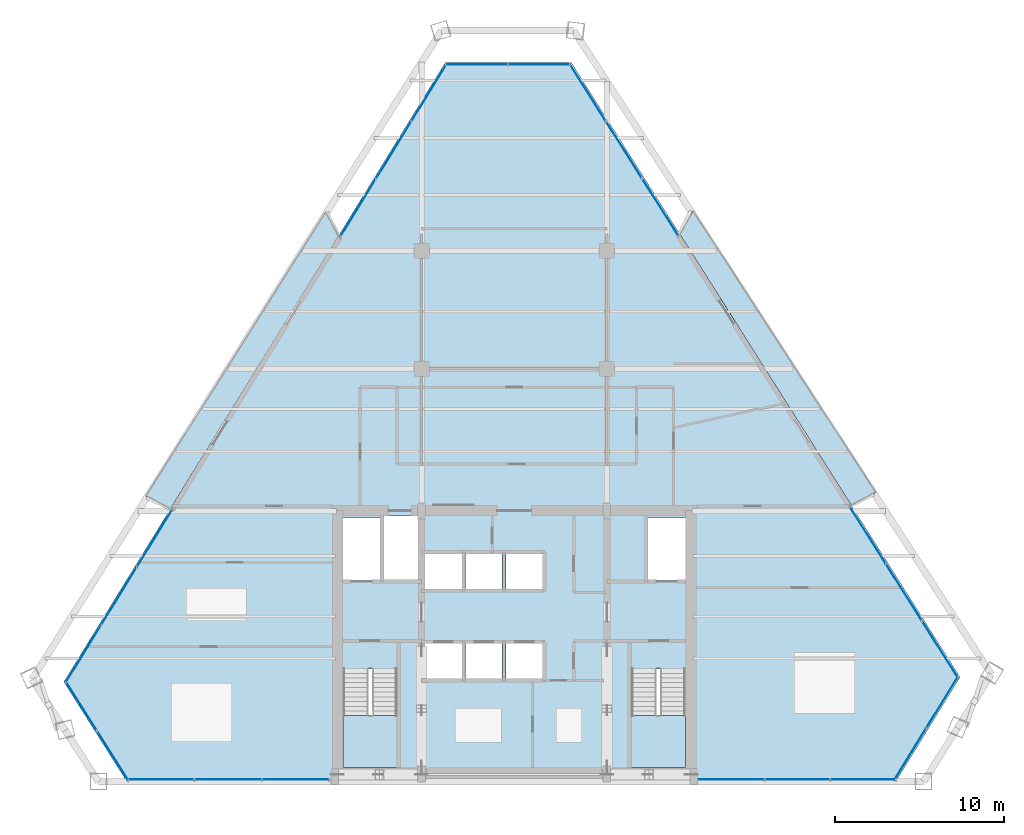
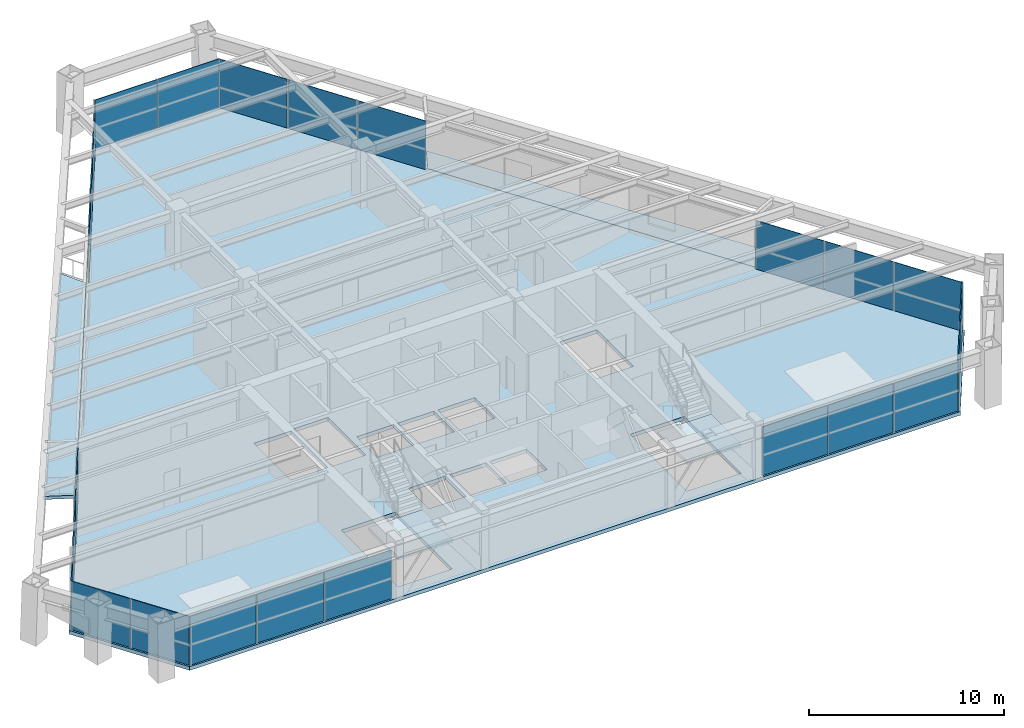
# One storey, part 10 of 15: 24 plates, 5 slabs, 11 elements without a shape of their own.
"""IFC4 building model written with IfcOpenShell, lengths in metres."""

import ifcopenshell
import ifcopenshell.guid

model = None  # the IFC model being written
_history = None  # IfcOwnerHistory: only IFC2X3 demands one
_inside = {}  # id of a spatial element -> (the spatial element, [elements in it])
_under = {}  # id of a project, library or spatial element -> (it, [spatial elements below it])
_declared = {}  # id of a project -> (the project, [libraries it declares])
_typed = {}  # id of a type object -> (the type object, [elements of that type])
_made_of = {}  # id of a material, layer set ... -> (it, [elements and type objects made of it])


def new_model(schema):
    """Start an empty IFC model of exactly this schema.

    Asked for "IFC4X3", IfcOpenShell would pick the latest addendum, in which some entities
    have other attributes; the version numbers below select the first issue.
    IFC2X3 requires an IfcOwnerHistory on every rooted entity: one is made here for all.
    """
    global model, _history
    if schema == "IFC4X3":
        model = ifcopenshell.file(schema_version=(4, 3, 0, 0))
    else:
        model = ifcopenshell.file(schema=schema)
    _inside.clear()
    _under.clear()
    _declared.clear()
    _typed.clear()
    _made_of.clear()
    _history = None
    if model.schema == "IFC2X3":
        org = make("IfcOrganization", Name="unknown")
        user = make(
            "IfcPersonAndOrganization",
            ThePerson=make("IfcPerson", FamilyName="unknown"),
            TheOrganization=org,
        )
        app = make(
            "IfcApplication",
            ApplicationDeveloper=org,
            Version="unknown",
            ApplicationFullName="unknown",
            ApplicationIdentifier="unknown",
        )
        _history = make(
            "IfcOwnerHistory",
            OwningUser=user,
            OwningApplication=app,
            ChangeAction="ADDED",
            CreationDate=0,
        )
    return model


def make(cls, **values):
    """One entity of the class cls with the attributes given. An attribute that is None is left unset."""
    return model.create_entity(
        cls, **{name: value for name, value in values.items() if value is not None}
    )


def rooted(cls, **values):
    """An entity with a GlobalId (a new one), such as an element, a storey or a relation."""
    return make(cls, GlobalId=ifcopenshell.guid.new(), OwnerHistory=_history, **values)


def si_unit(unit_type, name, prefix=None):
    """IfcSIUnit, for example si_unit("LENGTHUNIT", "METRE", prefix="MILLI")."""
    return make("IfcSIUnit", UnitType=unit_type, Prefix=prefix, Name=name)


def assignment(units):
    """IfcUnitAssignment: the units of a project."""
    return None if units is None else make("IfcUnitAssignment", Units=units)


def point(xyz):
    """IfcCartesianPoint."""
    return None if xyz is None else make("IfcCartesianPoint", Coordinates=xyz)


def direction(xyz):
    """IfcDirection."""
    return None if xyz is None else make("IfcDirection", DirectionRatios=xyz)


def frame(location, z_axis=None, x_axis=None):
    """IfcAxis2Placement3D, a coordinate frame: its origin and axes. An axis left out is left unset."""
    return make(
        "IfcAxis2Placement3D",
        Location=point(location),
        Axis=direction(z_axis),
        RefDirection=direction(x_axis),
    )


def frame_2d(location, x_axis=None):
    """IfcAxis2Placement2D, a coordinate frame in the plane: its origin and x axis."""
    return make(
        "IfcAxis2Placement2D", Location=point(location), RefDirection=direction(x_axis)
    )


def origin():
    """The frame at (0, 0, 0) with its axes left unset."""
    return frame((0.0, 0.0, 0.0))


def origin_2d():
    """The frame at (0, 0) in the plane with its x axis left unset."""
    return frame_2d((0.0, 0.0))


def place(relative_to, where):
    """IfcLocalPlacement: puts the frame where relative to a parent placement (None: the world)."""
    return make(
        "IfcLocalPlacement", PlacementRelTo=relative_to, RelativePlacement=where
    )


def context(
    kind, dimensions, precision=None, world=None, true_north=None, identifier=None
):
    """IfcGeometricRepresentationContext, for example the 3D "Model" context."""
    return make(
        "IfcGeometricRepresentationContext",
        ContextIdentifier=identifier,
        ContextType=kind,
        CoordinateSpaceDimension=dimensions,
        Precision=precision,
        WorldCoordinateSystem=world,
        TrueNorth=true_north,
    )


def subcontext(parent, identifier, kind, view, scale=None):
    """IfcGeometricRepresentationSubContext, for example "Body" below "Model"."""
    return make(
        "IfcGeometricRepresentationSubContext",
        ContextIdentifier=identifier,
        ContextType=kind,
        ParentContext=parent,
        TargetScale=scale,
        TargetView=view,
    )


def project(units=None, contexts=None):
    """IfcProject with its units and contexts."""
    return rooted(
        "IfcProject",
        Name="project",
        RepresentationContexts=contexts,
        UnitsInContext=assignment(units),
    )


def spatial(cls, under=None, at=None, **own):
    """A site, building, storey or space (cls), placed at a placement, below another one or the project."""
    s = rooted(cls, ObjectPlacement=at, **own)
    if under is not None:
        _under.setdefault(under.id(), (under, []))[1].append(s)
    return s


def polyline(points):
    """IfcPolyline through the points."""
    return make("IfcPolyline", Points=[point(p) for p in points])


def profile(cls, at=None, kind="AREA", **sizes):
    """A parametric profile (cls). Its sizes go by their IFC names, for example OverallWidth=200.0."""
    return make(cls, ProfileType=kind, Position=at, **sizes)


def rectangle(**sizes):
    """IfcRectangleProfileDef."""
    return profile("IfcRectangleProfileDef", **sizes)


def outline(outer, holes=None, kind="AREA"):
    """IfcArbitraryClosedProfileDef: a profile drawn as a closed curve; with holes, ...WithVoids."""
    if holes is None:
        return make("IfcArbitraryClosedProfileDef", ProfileType=kind, OuterCurve=outer)
    return make(
        "IfcArbitraryProfileDefWithVoids",
        ProfileType=kind,
        OuterCurve=outer,
        InnerCurves=holes,
    )


def extrude(swept, where, along, depth):
    """IfcExtrudedAreaSolid: the profile swept, set in the frame where, extruded along a direction by depth."""
    return make(
        "IfcExtrudedAreaSolid",
        SweptArea=swept,
        Position=where,
        ExtrudedDirection=direction(along),
        Depth=depth,
    )


def shape(context_of_items, identifier, shape_type, items):
    """IfcShapeRepresentation: the items that make up one representation, for example the "Body"."""
    return make(
        "IfcShapeRepresentation",
        ContextOfItems=context_of_items,
        RepresentationIdentifier=identifier,
        RepresentationType=shape_type,
        Items=items,
    )


def source(mapping_origin, context_of_items, identifier, shape_type, items):
    """IfcRepresentationMap: a shape defined once, which mapped items show again and again."""
    return make(
        "IfcRepresentationMap",
        MappingOrigin=mapping_origin,
        MappedRepresentation=shape(context_of_items, identifier, shape_type, items),
    )


def transform(
    local_origin,
    x_axis=None,
    y_axis=None,
    z_axis=None,
    scale=None,
    scale2=None,
    scale3=None,
    uniform=True,
):
    """IfcCartesianTransformationOperator3D, or its non-uniform kind. x_axis, y_axis, z_axis: its Axis1, 2, 3."""
    if uniform:
        return make(
            "IfcCartesianTransformationOperator3D",
            Axis1=direction(x_axis),
            Axis2=direction(y_axis),
            LocalOrigin=point(local_origin),
            Scale=scale,
            Axis3=direction(z_axis),
        )
    return make(
        "IfcCartesianTransformationOperator3DnonUniform",
        Axis1=direction(x_axis),
        Axis2=direction(y_axis),
        LocalOrigin=point(local_origin),
        Scale=scale,
        Axis3=direction(z_axis),
        Scale2=scale2,
        Scale3=scale3,
    )


def mapped(mapping_source, mapping_target):
    """IfcMappedItem: shows the shape of a source again, moved by a transform."""
    return make(
        "IfcMappedItem", MappingSource=mapping_source, MappingTarget=mapping_target
    )


def material(Name=None, Category=None):
    """IfcMaterial."""
    return make("IfcMaterial", Name=Name, Category=Category)


def layer(
    of_material, thickness, ventilated=None, Name=None, Category=None, Priority=None
):
    """IfcMaterialLayer: one layer of a wall or slab, of a material (None: an air gap)."""
    return make(
        "IfcMaterialLayer",
        Material=of_material,
        LayerThickness=thickness,
        IsVentilated=ventilated,
        Name=Name,
        Category=Category,
        Priority=Priority,
    )


def layer_set(layers, Name=None):
    """IfcMaterialLayerSet."""
    return make("IfcMaterialLayerSet", MaterialLayers=layers, LayerSetName=Name)


def made_of(thing, what):
    """Note that an element or type object is made of a material, layer set ...; save() writes the relation."""
    if what is not None:
        _made_of.setdefault(what.id(), (what, []))[1].append(thing)
    return thing


def type_object(cls, material=None, **own):
    """A type object (cls), such as IfcWallType, which elements share."""
    return made_of(rooted(cls, **own), material)


def element(
    cls,
    number,
    at=None,
    inside=None,
    cuts=None,
    type_object=None,
    material=None,
    context=None,
    identifier="Body",
    shape_type=None,
    held_by="IfcProductDefinitionShape",
    body=None,
    shapes=None,
    **own,
):
    """One element of the class cls, such as IfcWall. Its Tag is "e" and its number.

    at: its placement. inside: the storey or other place that contains it. cuts: it is an
    opening in that element (IfcRelVoidsElement). A single representation is given by context,
    identifier, shape_type and body (its items); several are given by shapes. held_by: the class
    of the entity that holds the representations. save() writes the other relations.
    """
    e = rooted(cls, Tag="e%d" % number, ObjectPlacement=at, **own)
    if body is not None:
        shapes = [shape(context, identifier, shape_type, body)]
    if shapes is not None:
        e.Representation = make(held_by, Representations=shapes)
    if inside is not None:
        _inside.setdefault(inside.id(), (inside, []))[1].append(e)
    if cuts is not None:
        rooted(
            "IfcRelVoidsElement", RelatingBuildingElement=cuts, RelatedOpeningElement=e
        )
    if type_object is not None:
        _typed.setdefault(type_object.id(), (type_object, []))[1].append(e)
    return made_of(e, material)


def aggregate(whole, parts):
    """IfcRelAggregates: a whole, such as a stair, and the parts it consists of."""
    return rooted("IfcRelAggregates", RelatingObject=whole, RelatedObjects=parts)


def save(model, path):
    """Write the relations noted so far, then the file.

    IfcRelAggregates (storeys below a building ...), IfcRelContainedInSpatialStructure (elements
    in a storey), IfcRelDefinesByType, IfcRelAssociatesMaterial and IfcRelDeclares: one each for
    every whole, place, type object, material and project.
    """
    for whole, parts in _under.values():
        aggregate(whole, parts)
    for where, things in _inside.values():
        rooted(
            "IfcRelContainedInSpatialStructure",
            RelatedElements=things,
            RelatingStructure=where,
        )
    for kind, things in _typed.values():
        rooted("IfcRelDefinesByType", RelatedObjects=things, RelatingType=kind)
    for what, things in _made_of.values():
        rooted("IfcRelAssociatesMaterial", RelatedObjects=things, RelatingMaterial=what)
    for by, libraries in _declared.values():
        rooted("IfcRelDeclares", RelatingContext=by, RelatedDefinitions=libraries)
    model.write(path)


model = new_model("IFC4")

# Units and contexts
model_context = context("Model", 3, precision=1e-05, world=origin(), true_north=direction((0.0, 1.0)))
body_context = subcontext(model_context, "Body", "Model", "MODEL_VIEW")
ifc_project = project(units=[si_unit("LENGTHUNIT", "METRE"), si_unit("AREAUNIT", "SQUARE_METRE"), si_unit("VOLUMEUNIT", "CUBIC_METRE"), si_unit("PLANEANGLEUNIT", "RADIAN"), si_unit("MASSUNIT", "GRAM", prefix="KILO")], contexts=[model_context])

# Site, building, storey
site_placement = place(None, origin())
site = spatial("IfcSite", under=ifc_project, at=site_placement, CompositionType="ELEMENT")
building_placement = place(site_placement, origin())
building = spatial("IfcBuilding", under=site, at=building_placement, Name="Varnakhor Terracotta Tower", CompositionType="ELEMENT")
storey_placement = place(building_placement, frame((0.0, 0.0, 193.199951171875)))
storey = spatial("IfcBuildingStorey", under=building, at=storey_placement, Name="L49", CompositionType="ELEMENT", Elevation=193.199951171875)

# Stair, slab
ifc_material_1 = material(Name="Concrete C40/50", Category="concrete")
stair_type = type_object("IfcStairType", Name="STR-CORE-OFFICE-1500", PredefinedType="HALF_TURN_STAIR", material=ifc_material_1)
stair_1_placement = place(storey_placement, origin())
stair_1 = element("IfcStair", 1, at=stair_1_placement, inside=storey, type_object=stair_type, Name="L49 Core Exit Stair ST-1", PredefinedType="HALF_TURN_STAIR")
ifc_layer_1 = layer(ifc_material_1, 0.179931640625, Name="Concrete C40/50")
ifc_layer_set_1 = layer_set([ifc_layer_1], Name="Concrete C40/50")
slab_type_1 = type_object("IfcSlabType", Name="SLB-LANDING-180", PredefinedType="LANDING", material=ifc_layer_set_1)
slab_1_placement = place(storey_placement, frame((0.0, 0.0, 1.650146484375)))
slab_1 = element("IfcSlab", 2, at=slab_1_placement, type_object=slab_type_1, Name="ST-1 landing 1", PredefinedType="LANDING", context=body_context, shape_type="SweptSolid", body=[
    extrude(outline(polyline([(-10.14990234375, 3.909912109375), (-10.14990234375, 0.85009765625), (-6.949951171875, 0.85009765625), (-6.949951171875, 3.909912109375), (-10.14990234375, 3.909912109375)])), origin(), (0.0, 0.0, 1.0), 0.199951171875),
])
aggregate(stair_1, [slab_1])

stair_2_placement = place(storey_placement, origin())
stair_2 = element("IfcStair", 3, at=stair_2_placement, inside=storey, type_object=stair_type, Name="L49 Core Exit Stair ST-2", PredefinedType="HALF_TURN_STAIR")
slab_2_placement = place(storey_placement, frame((0.0, 0.0, 1.650146484375)))
slab_2 = element("IfcSlab", 4, at=slab_2_placement, type_object=slab_type_1, Name="ST-2 landing 1", PredefinedType="LANDING", context=body_context, shape_type="SweptSolid", body=[
    extrude(outline(polyline([(6.949951171875, 3.909912109375), (6.949951171875, 0.85009765625), (10.14990234375, 0.85009765625), (10.14990234375, 3.909912109375), (6.949951171875, 3.909912109375)])), origin(), (0.0, 0.0, 1.0), 0.199951171875),
])
aggregate(stair_2, [slab_2])

# Slabs
ifc_layer_2 = layer(ifc_material_1, 0.195068359375, Name="Concrete C40/50")
ifc_layer_set_2 = layer_set([ifc_layer_2], Name="Concrete C40/50")
slab_type_2 = type_object("IfcSlabType", Name="SLB-LOGGIA-EXT-195", PredefinedType="FLOOR", material=ifc_layer_set_2)
slab_3_placement = place(storey_placement, frame((0.0, 0.0, -0.195068359375)))
element("IfcSlab", 5, at=slab_3_placement, inside=storey, type_object=slab_type_2, Name="L49 E Recessed Outdoor Loggia Slab", PredefinedType="FLOOR", context=body_context, shape_type="SweptSolid", body=[
    extrude(outline(polyline([(10.57666015625, 33.88818359375), (21.4521484375, 17.1328125), (19.994140625, 16.40771484375), (19.0439453125, 17.909912109375), (9.843994140625, 32.4541015625), (10.57666015625, 33.88818359375)])), origin(), (0.0, 0.0, 1.0), 0.195068359375),
])
slab_4_placement = place(storey_placement, frame((0.0, 0.0, -0.195068359375)))
element("IfcSlab", 6, at=slab_4_placement, inside=storey, type_object=slab_type_2, Name="L49 W Recessed Outdoor Loggia Slab", PredefinedType="FLOOR", context=body_context, shape_type="SweptSolid", body=[
    extrude(outline(polyline([(-21.856689453125, 16.92431640625), (-11.1669921875, 33.80712890625), (-10.4306640625, 32.37646484375), (-12.25830078125, 29.40966796875), (-20.3896484375, 16.208251953125), (-21.856689453125, 16.92431640625)])), origin(), (0.0, 0.0, 1.0), 0.195068359375),
])
ifc_layer_3 = layer(ifc_material_1, 0.22998046875, Name="Concrete C40/50")
ifc_layer_set_3 = layer_set([ifc_layer_3], Name="Concrete C40/50")
slab_type_3 = type_object("IfcSlabType", Name="SLB-OFF-230", PredefinedType="FLOOR", material=ifc_layer_set_3)
slab_5_placement = place(storey_placement, frame((0.0, 0.0, -0.22998046875)))
element("IfcSlab", 7, at=slab_5_placement, inside=storey, type_object=slab_type_3, Name="L49 Structural Floor Slab", PredefinedType="FLOOR", context=body_context, shape_type="SweptSolid", body=[
    extrude(outline(polyline([(-26.72705078125, 5.919189453125), (-4.09326171875, 42.66552734375), (3.384765625, 42.66552734375), (26.453369140625, 6.196533203125), (22.63671875, 0.0), (-22.98291015625, 0.0), (-26.72705078125, 5.919189453125)]), holes=[polyline([(-6.949951171875, 0.85009765625), (-6.949951171875, 6.695068359375), (-10.14990234375, 6.695068359375), (-10.14990234375, 0.85009765625), (-6.949951171875, 0.85009765625)]), polyline([(-3.10009765625, 6.10009765625), (-3.10009765625, 8.199951171875), (-5.300048828125, 8.199951171875), (-5.300048828125, 6.10009765625), (-3.10009765625, 6.10009765625)]), polyline([(-0.719970703125, 6.10009765625), (-0.719970703125, 8.199951171875), (-2.8798828125, 8.199951171875), (-2.8798828125, 6.10009765625), (-0.719970703125, 6.10009765625)]), polyline([(-5.300048828125, 11.419921875), (-3.10009765625, 11.419921875), (-3.10009765625, 13.52001953125), (-5.300048828125, 13.52001953125), (-5.300048828125, 11.419921875)]), polyline([(-10.14990234375, 11.8798828125), (-7.949951171875, 11.8798828125), (-7.949951171875, 15.64990234375), (-10.14990234375, 15.64990234375), (-10.14990234375, 11.8798828125)]), polyline([(-5.699951171875, 11.8798828125), (-5.699951171875, 15.75), (-7.72998046875, 15.75), (-7.72998046875, 11.8798828125), (-5.699951171875, 11.8798828125)]), polyline([(6.949951171875, 0.85009765625), (10.14990234375, 0.85009765625), (10.14990234375, 6.695068359375), (6.949951171875, 6.695068359375), (6.949951171875, 0.85009765625)]), polyline([(-0.5, 6.10009765625), (1.699951171875, 6.10009765625), (1.699951171875, 8.199951171875), (-0.5, 8.199951171875), (-0.5, 6.10009765625)]), polyline([(-0.719970703125, 11.419921875), (-0.719970703125, 13.52001953125), (-2.8798828125, 13.52001953125), (-2.8798828125, 11.419921875), (-0.719970703125, 11.419921875)]), polyline([(-0.5, 11.419921875), (1.699951171875, 11.419921875), (1.699951171875, 13.52001953125), (-0.5, 13.52001953125), (-0.5, 11.419921875)]), polyline([(7.949951171875, 11.8798828125), (10.14990234375, 11.8798828125), (10.14990234375, 15.64990234375), (7.949951171875, 15.64990234375), (7.949951171875, 11.8798828125)])]), origin(), (0.0, 0.0, 1.0), 0.22998046875),
])

# Curtain wall, plates
ifc_material_2 = material(Name="Anodised Aluminium Curtain Wall System", Category="aluminium")
curtain_wall_type = type_object("IfcCurtainWallType", Name="CW-SYS-MID-OFFICE", PredefinedType="NOTDEFINED", material=ifc_material_2)
curtain_wall_1_placement = place(storey_placement, origin())
curtain_wall_1 = element("IfcCurtainWall", 8, at=curtain_wall_1_placement, inside=storey, type_object=curtain_wall_type, Name="L49 W Facet Curtain Wall 1", PredefinedType="NOTDEFINED")
ifc_material_3 = material(Name="Solar-Control Low-E Insulated Glass Panel", Category="glass")
ifc_layer_4 = layer(ifc_material_3, 0.035888671875, Name="Solar-Control Low-E Insulated Glass Panel")
ifc_layer_set_4 = layer_set([ifc_layer_4], Name="Solar-Control Low-E Insulated Glass Panel")
plate_type = type_object("IfcPlateType", Name="CWP-03", PredefinedType="CURTAIN_PANEL", material=ifc_layer_set_4)
shared_shape_1 = source(origin(), body_context, "Body", "SweptSolid", [
    extrude(rectangle(XDim=3.968017578125, YDim=0.035888671875, at=origin_2d()), origin(), (0.0, 0.0, 1.0), 3.050048828125),
])
plate_1_placement = place(storey_placement, frame((-25.55810546875, 7.588134765625, 0.0), z_axis=(0.0, 0.0, 1.0), x_axis=(0.524446657872, 0.851443305833, 0.0)))
plate_1 = element("IfcPlate", 9, at=plate_1_placement, type_object=plate_type, Name="L49 W Facet Curtain Wall 1 Glazed Panel 1", PredefinedType="CURTAIN_PANEL", context=body_context, shape_type="MappedRepresentation", body=[
    mapped(shared_shape_1, transform((0.0, 0.0, 0.0), scale=1.0)),
])
plate_2_placement = place(storey_placement, frame((-23.4560546875, 11.000732421875, 0.0), z_axis=(0.0, 0.0, 1.0), x_axis=(0.524446657872, 0.851443305833, 0.0)))
plate_2 = element("IfcPlate", 10, at=plate_2_placement, type_object=plate_type, Name="L49 W Facet Curtain Wall 1 Glazed Panel 2", PredefinedType="CURTAIN_PANEL", context=body_context, shape_type="MappedRepresentation", body=[
    mapped(shared_shape_1, transform((0.0, 0.0, 0.0), scale=1.0)),
])
plate_3_placement = place(storey_placement, frame((-21.35400390625, 14.413330078125, 0.0), z_axis=(0.0, 0.0, 1.0), x_axis=(0.524446657872, 0.851443305833, 0.0)))
plate_3 = element("IfcPlate", 11, at=plate_3_placement, type_object=plate_type, Name="L49 W Facet Curtain Wall 1 Glazed Panel 3", PredefinedType="CURTAIN_PANEL", context=body_context, shape_type="MappedRepresentation", body=[
    mapped(shared_shape_1, transform((0.0, 0.0, 0.0), scale=1.0)),
])
aggregate(curtain_wall_1, [plate_1, plate_2, plate_3])

curtain_wall_2_placement = place(storey_placement, origin())
curtain_wall_2 = element("IfcCurtainWall", 12, at=curtain_wall_2_placement, inside=storey, type_object=curtain_wall_type, Name="L49 W Facet Curtain Wall 2", PredefinedType="NOTDEFINED")
plate_4_placement = place(storey_placement, frame((-9.26171875, 34.04541015625, 0.0), z_axis=(0.0, 0.0, 1.0), x_axis=(0.524446657872, 0.851443305833, 0.0)))
plate_4 = element("IfcPlate", 13, at=plate_4_placement, type_object=plate_type, Name="L49 W Facet Curtain Wall 2 Glazed Panel 1", PredefinedType="CURTAIN_PANEL", context=body_context, shape_type="MappedRepresentation", body=[
    mapped(shared_shape_1, transform((0.0, 0.0, 0.0), scale=1.0)),
])
plate_5_placement = place(storey_placement, frame((-7.159912109375, 37.4580078125, 0.0), z_axis=(0.0, 0.0, 1.0), x_axis=(0.524446657872, 0.851443305833, 0.0)))
plate_5 = element("IfcPlate", 14, at=plate_5_placement, type_object=plate_type, Name="L49 W Facet Curtain Wall 2 Glazed Panel 2", PredefinedType="CURTAIN_PANEL", context=body_context, shape_type="MappedRepresentation", body=[
    mapped(shared_shape_1, transform((0.0, 0.0, 0.0), scale=1.0)),
])
plate_6_placement = place(storey_placement, frame((-5.057861328125, 40.87060546875, 0.0), z_axis=(0.0, 0.0, 1.0), x_axis=(0.524446657872, 0.851443305833, 0.0)))
plate_6 = element("IfcPlate", 15, at=plate_6_placement, type_object=plate_type, Name="L49 W Facet Curtain Wall 2 Glazed Panel 3", PredefinedType="CURTAIN_PANEL", context=body_context, shape_type="MappedRepresentation", body=[
    mapped(shared_shape_1, transform((0.0, 0.0, 0.0), scale=1.0)),
])
aggregate(curtain_wall_2, [plate_4, plate_5, plate_6])

curtain_wall_3_placement = place(storey_placement, origin())
curtain_wall_3 = element("IfcCurtainWall", 16, at=curtain_wall_3_placement, inside=storey, type_object=curtain_wall_type, Name="L49 Facet Curtain Wall 2", PredefinedType="NOTDEFINED")
shared_shape_2 = source(origin(), body_context, "Body", "SweptSolid", [
    extrude(rectangle(XDim=3.669189453125, YDim=0.035888671875, at=origin_2d()), origin(), (0.0, 0.0, 1.0), 3.050048828125),
])
plate_7_placement = place(storey_placement, frame((-2.208740234375, 42.54541015625, 0.0), z_axis=(0.0, 0.0, 1.0), x_axis=(1.0, 0.0, 0.0)))
plate_7 = element("IfcPlate", 17, at=plate_7_placement, type_object=plate_type, Name="L49 Facet Curtain Wall 2 Glazed Panel 1", PredefinedType="CURTAIN_PANEL", context=body_context, shape_type="MappedRepresentation", body=[
    mapped(shared_shape_2, transform((0.0, 0.0, 0.0), scale=1.0)),
])
shared_shape_3 = source(origin(), body_context, "Body", "SweptSolid", [
    extrude(rectangle(XDim=3.6689453125, YDim=0.035888671875, at=origin_2d()), origin(), (0.0, 0.0, 1.0), 3.050048828125),
])
plate_8_placement = place(storey_placement, frame((1.500244140625, 42.54541015625, 0.0), z_axis=(0.0, 0.0, 1.0), x_axis=(1.0, 0.0, 0.0)))
plate_8 = element("IfcPlate", 18, at=plate_8_placement, type_object=plate_type, Name="L49 Facet Curtain Wall 2 Glazed Panel 2", PredefinedType="CURTAIN_PANEL", context=body_context, shape_type="MappedRepresentation", body=[
    mapped(shared_shape_3, transform((0.0, 0.0, 0.0), scale=1.0)),
])
aggregate(curtain_wall_3, [plate_7, plate_8])

curtain_wall_4_placement = place(storey_placement, origin())
curtain_wall_4 = element("IfcCurtainWall", 19, at=curtain_wall_4_placement, inside=storey, type_object=curtain_wall_type, Name="L49 E Facet Curtain Wall 1", PredefinedType="NOTDEFINED")
shared_shape_4 = source(origin(), body_context, "Body", "SweptSolid", [
    extrude(rectangle(XDim=3.967529296875, YDim=0.035888671875, at=origin_2d()), origin(), (0.0, 0.0, 1.0), 3.050048828125),
])
plate_9_placement = place(storey_placement, frame((4.37060546875, 40.882568359375, 0.0), z_axis=(0.0, 0.0, 1.0), x_axis=(0.534573620106, -0.845121911139, 0.0)))
plate_9 = element("IfcPlate", 20, at=plate_9_placement, type_object=plate_type, Name="L49 E Facet Curtain Wall 1 Glazed Panel 1", PredefinedType="CURTAIN_PANEL", context=body_context, shape_type="MappedRepresentation", body=[
    mapped(shared_shape_4, transform((0.0, 0.0, 0.0), scale=1.0)),
])
plate_10_placement = place(storey_placement, frame((6.512939453125, 37.49560546875, 0.0), z_axis=(0.0, 0.0, 1.0), x_axis=(0.534573620106, -0.845121911139, 0.0)))
plate_10 = element("IfcPlate", 21, at=plate_10_placement, type_object=plate_type, Name="L49 E Facet Curtain Wall 1 Glazed Panel 2", PredefinedType="CURTAIN_PANEL", context=body_context, shape_type="MappedRepresentation", body=[
    mapped(shared_shape_4, transform((0.0, 0.0, 0.0), scale=1.0)),
])
plate_11_placement = place(storey_placement, frame((8.655517578125, 34.10888671875, 0.0), z_axis=(0.0, 0.0, 1.0), x_axis=(0.534573620106, -0.845121911139, 0.0)))
plate_11 = element("IfcPlate", 22, at=plate_11_placement, type_object=plate_type, Name="L49 E Facet Curtain Wall 1 Glazed Panel 3", PredefinedType="CURTAIN_PANEL", context=body_context, shape_type="MappedRepresentation", body=[
    mapped(shared_shape_4, transform((0.0, 0.0, 0.0), scale=1.0)),
])
aggregate(curtain_wall_4, [plate_9, plate_10, plate_11])

curtain_wall_5_placement = place(storey_placement, origin())
curtain_wall_5 = element("IfcCurtainWall", 23, at=curtain_wall_5_placement, inside=storey, type_object=curtain_wall_type, Name="L49 E Facet Curtain Wall 2", PredefinedType="NOTDEFINED")
plate_12_placement = place(storey_placement, frame((20.97998046875, 14.625, 0.0), z_axis=(0.0, 0.0, 1.0), x_axis=(0.534573620106, -0.845121911139, 0.0)))
plate_12 = element("IfcPlate", 24, at=plate_12_placement, type_object=plate_type, Name="L49 E Facet Curtain Wall 2 Glazed Panel 1", PredefinedType="CURTAIN_PANEL", context=body_context, shape_type="MappedRepresentation", body=[
    mapped(shared_shape_4, transform((0.0, 0.0, 0.0), scale=1.0)),
])
plate_13_placement = place(storey_placement, frame((23.122314453125, 11.238037109375, 0.0), z_axis=(0.0, 0.0, 1.0), x_axis=(0.534573620106, -0.845121911139, 0.0)))
plate_13 = element("IfcPlate", 25, at=plate_13_placement, type_object=plate_type, Name="L49 E Facet Curtain Wall 2 Glazed Panel 2", PredefinedType="CURTAIN_PANEL", context=body_context, shape_type="MappedRepresentation", body=[
    mapped(shared_shape_4, transform((0.0, 0.0, 0.0), scale=1.0)),
])
plate_14_placement = place(storey_placement, frame((25.2646484375, 7.851318359375, 0.0), z_axis=(0.0, 0.0, 1.0), x_axis=(0.534573620106, -0.845121911139, 0.0)))
plate_14 = element("IfcPlate", 26, at=plate_14_placement, type_object=plate_type, Name="L49 E Facet Curtain Wall 2 Glazed Panel 3", PredefinedType="CURTAIN_PANEL", context=body_context, shape_type="MappedRepresentation", body=[
    mapped(shared_shape_4, transform((0.0, 0.0, 0.0), scale=1.0)),
])
aggregate(curtain_wall_5, [plate_12, plate_13, plate_14])

curtain_wall_6_placement = place(storey_placement, origin())
curtain_wall_6 = element("IfcCurtainWall", 27, at=curtain_wall_6_placement, inside=storey, type_object=curtain_wall_type, Name="L49 Facet Curtain Wall 4", PredefinedType="NOTDEFINED")
shared_shape_5 = source(origin(), body_context, "Body", "SweptSolid", [
    extrude(rectangle(XDim=3.56884765625, YDim=0.035888671875, at=origin_2d()), origin(), (0.0, 0.0, 1.0), 3.050048828125),
])
plate_15_placement = place(storey_placement, frame((25.38916015625, 4.697509765625, 0.0), z_axis=(0.0, 0.0, 1.0), x_axis=(-0.524446657872, -0.851443305833, 0.0)))
plate_15 = element("IfcPlate", 28, at=plate_15_placement, type_object=plate_type, Name="L49 Facet Curtain Wall 4 Glazed Panel 1", PredefinedType="CURTAIN_PANEL", context=body_context, shape_type="MappedRepresentation", body=[
    mapped(shared_shape_5, transform((0.0, 0.0, 0.0), scale=1.0)),
])
plate_16_placement = place(storey_placement, frame((23.49658203125, 1.624755859375, 0.0), z_axis=(0.0, 0.0, 1.0), x_axis=(-0.524446657872, -0.851443305833, 0.0)))
plate_16 = element("IfcPlate", 29, at=plate_16_placement, type_object=plate_type, Name="L49 Facet Curtain Wall 4 Glazed Panel 2", PredefinedType="CURTAIN_PANEL", context=body_context, shape_type="MappedRepresentation", body=[
    mapped(shared_shape_5, transform((0.0, 0.0, 0.0), scale=1.0)),
])
aggregate(curtain_wall_6, [plate_15, plate_16])

curtain_wall_7_placement = place(storey_placement, origin())
curtain_wall_7 = element("IfcCurtainWall", 30, at=curtain_wall_7_placement, inside=storey, type_object=curtain_wall_type, Name="L49 South Wing Curtain Wall SSE", PredefinedType="NOTDEFINED")
shared_shape_6 = source(origin(), body_context, "Body", "SweptSolid", [
    extrude(rectangle(XDim=3.845458984375, YDim=0.035888671875, at=origin_2d()), origin(), (0.0, 0.0, 1.0), 3.050048828125),
])
plate_17_placement = place(storey_placement, frame((20.683837890625, 0.1201171875, 0.0), z_axis=(0.0, 0.0, 1.0), x_axis=(-1.0, 0.0, 0.0)))
plate_17 = element("IfcPlate", 31, at=plate_17_placement, type_object=plate_type, Name="L49 South Wing Curtain Wall SSE Glazed Panel 1", PredefinedType="CURTAIN_PANEL", context=body_context, shape_type="MappedRepresentation", body=[
    mapped(shared_shape_6, transform((0.0, 0.0, 0.0), scale=1.0)),
])
plate_18_placement = place(storey_placement, frame((12.91259765625, 0.1201171875, 0.0), z_axis=(0.0, 0.0, 1.0), x_axis=(-1.0, 0.0, 0.0)))
plate_18 = element("IfcPlate", 32, at=plate_18_placement, type_object=plate_type, Name="L49 South Wing Curtain Wall SSE Glazed Panel 3", PredefinedType="CURTAIN_PANEL", context=body_context, shape_type="MappedRepresentation", body=[
    mapped(shared_shape_6, transform((0.0, 0.0, 0.0), scale=1.0)),
])
shared_shape_7 = source(origin(), body_context, "Body", "SweptSolid", [
    extrude(rectangle(XDim=3.845703125, YDim=0.035888671875, at=origin_2d()), origin(), (0.0, 0.0, 1.0), 3.050048828125),
])
plate_19_placement = place(storey_placement, frame((16.79833984375, 0.1201171875, 0.0), z_axis=(0.0, 0.0, 1.0), x_axis=(-1.0, 0.0, 0.0)))
plate_19 = element("IfcPlate", 33, at=plate_19_placement, type_object=plate_type, Name="L49 South Wing Curtain Wall SSE Glazed Panel 2", PredefinedType="CURTAIN_PANEL", context=body_context, shape_type="MappedRepresentation", body=[
    mapped(shared_shape_7, transform((0.0, 0.0, 0.0), scale=1.0)),
])
aggregate(curtain_wall_7, [plate_17, plate_19, plate_18])

curtain_wall_8_placement = place(storey_placement, origin())
curtain_wall_8 = element("IfcCurtainWall", 34, at=curtain_wall_8_placement, inside=storey, type_object=curtain_wall_type, Name="L49 South Wing Curtain Wall SSW", PredefinedType="NOTDEFINED")
shared_shape_8 = source(origin(), body_context, "Body", "SweptSolid", [
    extrude(rectangle(XDim=3.9609375, YDim=0.035888671875, at=origin_2d()), origin(), (0.0, 0.0, 1.0), 3.050048828125),
])
plate_20_placement = place(storey_placement, frame((-12.970458984375, 0.1201171875, 0.0), z_axis=(0.0, 0.0, 1.0), x_axis=(-1.0, 0.0, 0.0)))
plate_20 = element("IfcPlate", 35, at=plate_20_placement, type_object=plate_type, Name="L49 South Wing Curtain Wall SSW Glazed Panel 1", PredefinedType="CURTAIN_PANEL", context=body_context, shape_type="MappedRepresentation", body=[
    mapped(shared_shape_8, transform((0.0, 0.0, 0.0), scale=1.0)),
])
plate_21_placement = place(storey_placement, frame((-16.971435546875, 0.1201171875, 0.0), z_axis=(0.0, 0.0, 1.0), x_axis=(-1.0, 0.0, 0.0)))
plate_21 = element("IfcPlate", 36, at=plate_21_placement, type_object=plate_type, Name="L49 South Wing Curtain Wall SSW Glazed Panel 2", PredefinedType="CURTAIN_PANEL", context=body_context, shape_type="MappedRepresentation", body=[
    mapped(shared_shape_8, transform((0.0, 0.0, 0.0), scale=1.0)),
])
plate_22_placement = place(storey_placement, frame((-20.972412109375, 0.1201171875, 0.0), z_axis=(0.0, 0.0, 1.0), x_axis=(-1.0, 0.0, 0.0)))
plate_22 = element("IfcPlate", 37, at=plate_22_placement, type_object=plate_type, Name="L49 South Wing Curtain Wall SSW Glazed Panel 3", PredefinedType="CURTAIN_PANEL", context=body_context, shape_type="MappedRepresentation", body=[
    mapped(shared_shape_8, transform((0.0, 0.0, 0.0), scale=1.0)),
])
aggregate(curtain_wall_8, [plate_20, plate_21, plate_22])

curtain_wall_9_placement = place(storey_placement, origin())
curtain_wall_9 = element("IfcCurtainWall", 38, at=curtain_wall_9_placement, inside=storey, type_object=curtain_wall_type, Name="L49 Facet Curtain Wall 6", PredefinedType="NOTDEFINED")
shared_shape_9 = source(origin(), body_context, "Body", "SweptSolid", [
    extrude(rectangle(XDim=3.431884765625, YDim=0.035888671875, at=origin_2d()), origin(), (0.0, 0.0, 1.0), 3.050048828125),
])
plate_23_placement = place(storey_placement, frame((-23.825439453125, 1.556640625, 0.0), z_axis=(0.0, 0.0, 1.0), x_axis=(-0.534573620106, 0.845121911139, 0.0)))
plate_23 = element("IfcPlate", 39, at=plate_23_placement, type_object=plate_type, Name="L49 Facet Curtain Wall 6 Glazed Panel 1", PredefinedType="CURTAIN_PANEL", context=body_context, shape_type="MappedRepresentation", body=[
    mapped(shared_shape_9, transform((0.0, 0.0, 0.0), scale=1.0)),
])
plate_24_placement = place(storey_placement, frame((-25.681396484375, 4.490966796875, 0.0), z_axis=(0.0, 0.0, 1.0), x_axis=(-0.534573620106, 0.845121911139, 0.0)))
plate_24 = element("IfcPlate", 40, at=plate_24_placement, type_object=plate_type, Name="L49 Facet Curtain Wall 6 Glazed Panel 2", PredefinedType="CURTAIN_PANEL", context=body_context, shape_type="MappedRepresentation", body=[
    mapped(shared_shape_9, transform((0.0, 0.0, 0.0), scale=1.0)),
])
aggregate(curtain_wall_9, [plate_23, plate_24])

save(model, "model.ifc")
